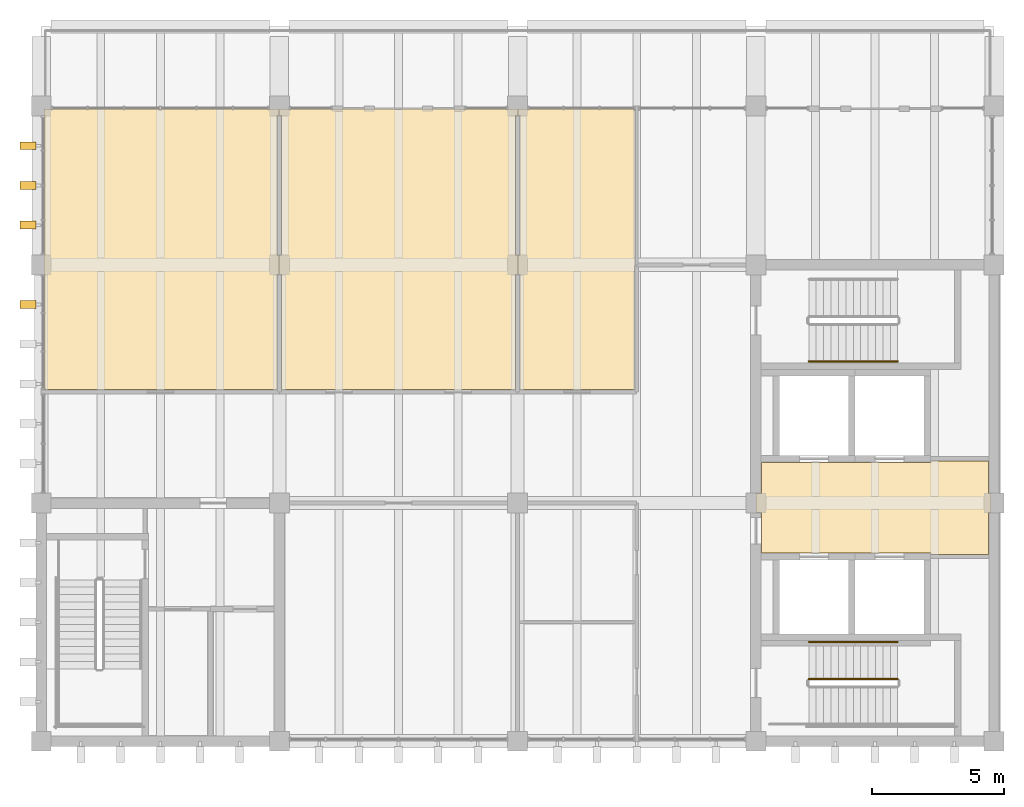
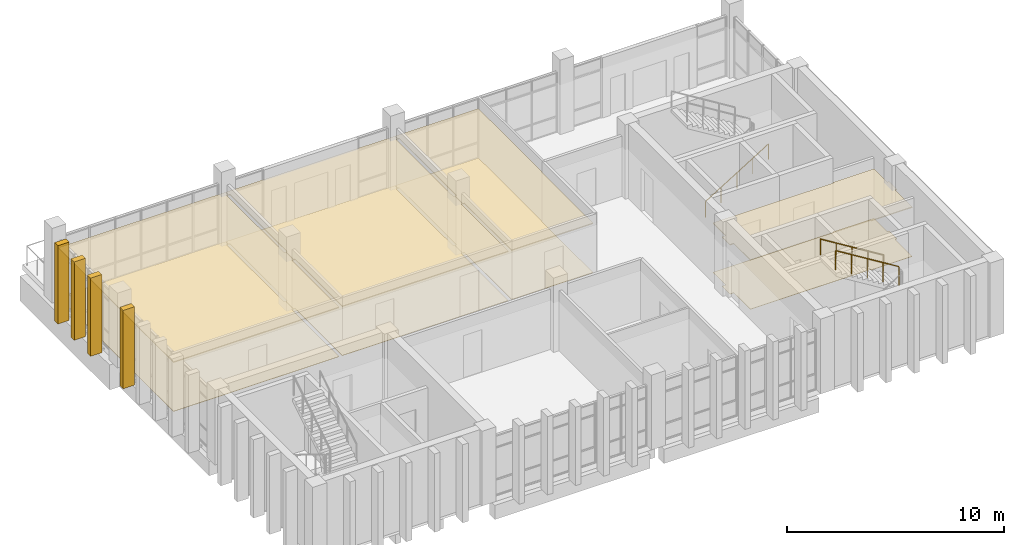
# One storey, part 13 of 15: 8 coverings, 4 shading devices, 3 railings.
"""IFC4 building model written with IfcOpenShell, lengths in metres."""

from ifc_helpers import new_model, si_unit, direction, frame, origin, origin_2d, place, context, subcontext, project, spatial, polyline, circle, outline, extrude, source, transform, mapped, material, layer, layer_set, type_object, element, save


model = new_model("IFC4")

# Units and contexts
model_context = context("Model", 3, precision=1e-05, world=origin(), true_north=direction((0.0, 1.0)))
body_context = subcontext(model_context, "Body", "Model", "MODEL_VIEW")
ifc_project = project(units=[si_unit("LENGTHUNIT", "METRE"), si_unit("AREAUNIT", "SQUARE_METRE"), si_unit("VOLUMEUNIT", "CUBIC_METRE"), si_unit("PLANEANGLEUNIT", "RADIAN"), si_unit("MASSUNIT", "GRAM", prefix="KILO")], contexts=[model_context])

# Site, building, storey
site_placement = place(None, origin())
site = spatial("IfcSite", under=ifc_project, at=site_placement, CompositionType="ELEMENT")
building_placement = place(site_placement, origin())
building = spatial("IfcBuilding", under=site, at=building_placement, Name="Merrow Basin Faculty of Sciences", CompositionType="ELEMENT")
storey_placement = place(building_placement, frame((0.0, 0.0, 31.5)))
storey = spatial("IfcBuildingStorey", under=building, at=storey_placement, Name="L07", CompositionType="ELEMENT", Elevation=31.5)

# Coverings
ifc_material_1 = material(Name="Carpet tile floor")
ifc_layer_1 = layer(ifc_material_1, 0.02001953125)
ifc_layer_set_1 = layer_set([ifc_layer_1], Name="Carpet tile floor")
covering_type_1 = type_object("IfcCoveringType", Name="Carpet tile floor", PredefinedType="FLOORING", material=ifc_layer_set_1)
covering_1_placement = place(storey_placement, origin())
element("IfcCovering", 1, at=covering_1_placement, inside=storey, type_object=covering_type_1, Name="Floor finish L07-T-014", PredefinedType="FLOORING", context=body_context, shape_type="SweptSolid", body=[
    extrude(outline(polyline([(18.110107421875, 165.889892578125), (26.989990234375, 165.889892578125), (26.989990234375, 165.635009765625), (26.9150390625, 165.635009765625), (26.9150390625, 160.364990234375), (26.989990234375, 160.364990234375), (26.989990234375, 159.635009765625), (26.9150390625, 159.635009765625), (26.9150390625, 155.284912109375), (18.110107421875, 155.284912109375), (18.110107421875, 165.889892578125)])), origin(), (0.0, 0.0, 1.0), 0.02001953125),
])
covering_2_placement = place(storey_placement, origin())
element("IfcCovering", 2, at=covering_2_placement, inside=storey, type_object=covering_type_1, Name="Floor finish L07-T-016", PredefinedType="FLOORING", context=body_context, shape_type="SweptSolid", body=[
    extrude(outline(polyline([(36.010009765625, 160.364990234375), (36.0849609375, 160.364990234375), (36.0849609375, 165.635009765625), (36.010009765625, 165.635009765625), (36.010009765625, 165.889892578125), (40.43994140625, 165.889892578125), (40.43994140625, 160.010009765625), (40.4150390625, 160.010009765625), (40.4150390625, 155.284912109375), (36.0849609375, 155.284912109375), (36.0849609375, 159.635009765625), (36.010009765625, 159.635009765625), (36.010009765625, 160.364990234375)])), origin(), (0.0, 0.0, 1.0), 0.02001953125),
])
ifc_material_2 = material(Name="Laboratory sheet vinyl floor")
ifc_layer_2 = layer(ifc_material_2, 0.02001953125)
ifc_layer_set_2 = layer_set([ifc_layer_2], Name="Laboratory sheet vinyl floor")
covering_type_2 = type_object("IfcCoveringType", Name="Laboratory sheet vinyl floor", PredefinedType="FLOORING", material=ifc_layer_set_2)
covering_3_placement = place(storey_placement, origin())
element("IfcCovering", 3, at=covering_3_placement, inside=storey, type_object=covering_type_2, Name="Floor finish L07-T-015", PredefinedType="FLOORING", context=body_context, shape_type="SweptSolid", body=[
    extrude(outline(polyline([(27.010009765625, 160.364990234375), (27.0849609375, 160.364990234375), (27.0849609375, 165.635009765625), (27.010009765625, 165.635009765625), (27.010009765625, 165.889892578125), (35.989990234375, 165.889892578125), (35.989990234375, 165.635009765625), (35.9150390625, 165.635009765625), (35.9150390625, 160.364990234375), (35.989990234375, 160.364990234375), (35.989990234375, 159.635009765625), (35.9150390625, 159.635009765625), (35.9150390625, 155.284912109375), (27.0849609375, 155.284912109375), (27.0849609375, 159.635009765625), (27.010009765625, 159.635009765625), (27.010009765625, 160.364990234375)])), origin(), (0.0, 0.0, 1.0), 0.02001953125),
])
ifc_material_3 = material(Name="Polished terrazzo floor")
ifc_layer_3 = layer(ifc_material_3, 0.02001953125)
ifc_layer_set_3 = layer_set([ifc_layer_3], Name="Polished terrazzo floor")
covering_type_3 = type_object("IfcCoveringType", Name="Polished terrazzo floor", PredefinedType="FLOORING", material=ifc_layer_set_3)
covering_4_placement = place(storey_placement, origin())
element("IfcCovering", 4, at=covering_4_placement, inside=storey, type_object=covering_type_3, Name="Floor finish L07-T-007", PredefinedType="FLOORING", context=body_context, shape_type="SweptSolid", body=[
    extrude(outline(polyline([(45.010009765625, 151.364990234375), (45.2099609375, 151.364990234375), (45.2099609375, 152.5400390625), (51.610107421875, 152.5400390625), (51.610107421875, 152.590087890625), (53.7900390625, 152.590087890625), (53.7900390625, 151.364990234375), (53.889892578125, 151.364990234375), (53.889892578125, 150.635009765625), (53.7900390625, 150.635009765625), (53.7900390625, 149.06005859375), (51.610107421875, 149.06005859375), (51.610107421875, 149.110107421875), (45.2099609375, 149.110107421875), (45.2099609375, 150.635009765625), (45.010009765625, 150.635009765625), (45.010009765625, 151.364990234375)])), origin(), (0.0, 0.0, 1.0), 0.02001953125),
])

# Railings
ifc_material_4 = material(Name="Steel ASTM A36", Category="steel")
railing_type_1 = type_object("IfcRailingType", Name="Steel guard 1100", PredefinedType="GUARDRAIL", material=ifc_material_4)
railing_1_placement = place(storey_placement, frame((50.360107421875, 144.35009765625, 2.423095703125)))
element("IfcRailing", 5, at=railing_1_placement, inside=storey, type_object=railing_type_1, Name="L07 ST-V5-N stair guard 4", PredefinedType="GUARDRAIL", context=body_context, shape_type="SweptSolid", body=[
    extrude(circle(Radius=0.02392578125, at=origin_2d()), frame((0.0, 0.0, 1.076171875), z_axis=(-0.850623216509, 0.0, 0.525775754039), x_axis=(0.0, -1.0, 0.0)), (0.0, 0.0, 1.0), 3.9501953125),
    extrude(circle(Radius=0.02099609375, at=origin_2d()), origin(), (0.0, 0.0, 1.0), 1.052001953125),
    extrude(circle(Radius=0.02099609375, at=origin_2d()), frame((-0.840087890625, 0.0, 0.519287109375)), (0.0, 0.0, 1.0), 1.052001953125),
    extrude(circle(Radius=0.02099609375, at=origin_2d()), frame((-1.68017578125, 0.0, 1.03857421875)), (0.0, 0.0, 1.0), 1.052001953125),
    extrude(circle(Radius=0.02099609375, at=origin_2d()), frame((-2.52001953125, 0.0, 1.5576171875)), (0.0, 0.0, 1.0), 1.052001953125),
    extrude(circle(Radius=0.02099609375, at=origin_2d()), frame((-3.360107421875, 0.0, 2.076904296875)), (0.0, 0.0, 1.0), 1.052001953125),
])
ifc_material_5 = material(Name="Steel ASTM A36", Category="steel")
railing_type_2 = type_object("IfcRailingType", Name="Steel handrail 900", PredefinedType="HANDRAIL", material=ifc_material_5)
railing_2_placement = place(storey_placement, frame((47.0, 156.35009765625, 0.173095703125)))
element("IfcRailing", 6, at=railing_2_placement, inside=storey, type_object=railing_type_2, Name="L07 ST-V5-S stair handrail 1", PredefinedType="HANDRAIL", context=body_context, shape_type="SweptSolid", body=[
    extrude(circle(Radius=0.02392578125, at=origin_2d()), frame((0.0, 0.0, 0.8759765625), z_axis=(0.850623216509, 0.0, 0.525775754039), x_axis=(0.0, 1.0, 0.0)), (0.0, 0.0, 1.0), 3.9501953125),
    extrude(circle(Radius=0.02099609375, at=origin_2d()), origin(), (0.0, 0.0, 1.0), 0.851806640625),
    extrude(circle(Radius=0.02099609375, at=origin_2d()), frame((0.840087890625, 0.0, 0.519287109375)), (0.0, 0.0, 1.0), 0.851806640625),
    extrude(circle(Radius=0.02099609375, at=origin_2d()), frame((1.68017578125, 0.0, 1.03857421875)), (0.0, 0.0, 1.0), 0.851806640625),
    extrude(circle(Radius=0.02099609375, at=origin_2d()), frame((2.52001953125, 0.0, 1.5576171875)), (0.0, 0.0, 1.0), 0.851806640625),
    extrude(circle(Radius=0.02099609375, at=origin_2d()), frame((3.360107421875, 0.0, 2.076904296875)), (0.0, 0.0, 1.0), 0.851806640625),
])
railing_3_placement = place(storey_placement, frame((50.360107421875, 145.75, 2.423095703125)))
element("IfcRailing", 7, at=railing_3_placement, inside=storey, type_object=railing_type_2, Name="L07 ST-V5-N stair handrail 2", PredefinedType="HANDRAIL", context=body_context, shape_type="SweptSolid", body=[
    extrude(circle(Radius=0.02392578125, at=origin_2d()), frame((0.0, 0.0, 0.8759765625), z_axis=(-0.850623216509, 0.0, 0.525775754039), x_axis=(0.0, -1.0, 0.0)), (0.0, 0.0, 1.0), 3.9501953125),
    extrude(circle(Radius=0.02099609375, at=origin_2d()), origin(), (0.0, 0.0, 1.0), 0.851806640625),
    extrude(circle(Radius=0.02099609375, at=origin_2d()), frame((-0.840087890625, 0.0, 0.519287109375)), (0.0, 0.0, 1.0), 0.851806640625),
    extrude(circle(Radius=0.02099609375, at=origin_2d()), frame((-1.68017578125, 0.0, 1.03857421875)), (0.0, 0.0, 1.0), 0.851806640625),
    extrude(circle(Radius=0.02099609375, at=origin_2d()), frame((-2.52001953125, 0.0, 1.5576171875)), (0.0, 0.0, 1.0), 0.851806640625),
    extrude(circle(Radius=0.02099609375, at=origin_2d()), frame((-3.360107421875, 0.0, 2.076904296875)), (0.0, 0.0, 1.0), 0.851806640625),
])

# Coverings
ifc_material_6 = material(Name="Mineral fibre ceiling tile")
ifc_layer_4 = layer(ifc_material_6, 0.050048828125)
ifc_layer_set_4 = layer_set([ifc_layer_4], Name="Suspended acoustic ceiling tile")
covering_type_4 = type_object("IfcCoveringType", Name="Suspended acoustic ceiling tile", PredefinedType="CEILING", material=ifc_layer_set_4)
covering_5_placement = place(storey_placement, frame((0.0, 0.0, 2.75)))
element("IfcCovering", 8, at=covering_5_placement, inside=storey, type_object=covering_type_4, Name="Ceiling L07-T-007", PredefinedType="CEILING", context=body_context, shape_type="SweptSolid", body=[
    extrude(outline(polyline([(45.010009765625, 151.364990234375), (45.2099609375, 151.364990234375), (45.2099609375, 152.5400390625), (51.610107421875, 152.5400390625), (51.610107421875, 152.590087890625), (53.7900390625, 152.590087890625), (53.7900390625, 151.364990234375), (53.889892578125, 151.364990234375), (53.889892578125, 150.635009765625), (53.7900390625, 150.635009765625), (53.7900390625, 149.06005859375), (51.610107421875, 149.06005859375), (51.610107421875, 149.110107421875), (45.2099609375, 149.110107421875), (45.2099609375, 150.635009765625), (45.010009765625, 150.635009765625), (45.010009765625, 151.364990234375)])), origin(), (0.0, 0.0, 1.0), 0.050048828125),
])
covering_6_placement = place(storey_placement, frame((0.0, 0.0, 2.75)))
element("IfcCovering", 9, at=covering_6_placement, inside=storey, type_object=covering_type_4, Name="Ceiling L07-T-014", PredefinedType="CEILING", context=body_context, shape_type="SweptSolid", body=[
    extrude(outline(polyline([(18.110107421875, 165.889892578125), (26.989990234375, 165.889892578125), (26.989990234375, 165.635009765625), (26.9150390625, 165.635009765625), (26.9150390625, 160.364990234375), (26.989990234375, 160.364990234375), (26.989990234375, 159.635009765625), (26.9150390625, 159.635009765625), (26.9150390625, 155.284912109375), (18.110107421875, 155.284912109375), (18.110107421875, 165.889892578125)])), origin(), (0.0, 0.0, 1.0), 0.050048828125),
])
covering_7_placement = place(storey_placement, frame((0.0, 0.0, 2.75)))
element("IfcCovering", 10, at=covering_7_placement, inside=storey, type_object=covering_type_4, Name="Ceiling L07-T-015", PredefinedType="CEILING", context=body_context, shape_type="SweptSolid", body=[
    extrude(outline(polyline([(27.010009765625, 160.364990234375), (27.0849609375, 160.364990234375), (27.0849609375, 165.635009765625), (27.010009765625, 165.635009765625), (27.010009765625, 165.889892578125), (35.989990234375, 165.889892578125), (35.989990234375, 165.635009765625), (35.9150390625, 165.635009765625), (35.9150390625, 160.364990234375), (35.989990234375, 160.364990234375), (35.989990234375, 159.635009765625), (35.9150390625, 159.635009765625), (35.9150390625, 155.284912109375), (27.0849609375, 155.284912109375), (27.0849609375, 159.635009765625), (27.010009765625, 159.635009765625), (27.010009765625, 160.364990234375)])), origin(), (0.0, 0.0, 1.0), 0.050048828125),
])
covering_8_placement = place(storey_placement, frame((0.0, 0.0, 2.75)))
element("IfcCovering", 11, at=covering_8_placement, inside=storey, type_object=covering_type_4, Name="Ceiling L07-T-016", PredefinedType="CEILING", context=body_context, shape_type="SweptSolid", body=[
    extrude(outline(polyline([(36.010009765625, 160.364990234375), (36.0849609375, 160.364990234375), (36.0849609375, 165.635009765625), (36.010009765625, 165.635009765625), (36.010009765625, 165.889892578125), (40.43994140625, 165.889892578125), (40.43994140625, 160.010009765625), (40.4150390625, 160.010009765625), (40.4150390625, 155.284912109375), (36.0849609375, 155.284912109375), (36.0849609375, 159.635009765625), (36.010009765625, 159.635009765625), (36.010009765625, 160.364990234375)])), origin(), (0.0, 0.0, 1.0), 0.050048828125),
])

# Shading devices
ifc_material_7 = material(Name="White precast concrete C50/60", Category="concrete")
shading_device_type = type_object("IfcShadingDeviceType", Name="White precast fin 300 x 600", PredefinedType="USERDEFINED", material=ifc_material_7)
shared_shape = source(origin(), body_context, "Body", "SweptSolid", [
    extrude(outline(polyline([(0.0, 0.0), (0.300048828125, 0.0), (0.300048828125, 4.39990234375), (0.0, 4.39990234375), (0.0, 0.0)])), origin(), (0.0, 0.0, 1.0), 0.60009765625),
])
for number, where, z_axis, x_axis, name in (
    (12, (17.800048828125, 158.64990234375, -0.25), (-1.0, 0.0, 0.0), (0.0, -1.0, 0.0), "Brise-soleil fin WL07"),
    (13, (17.800048828125, 161.64990234375, -0.25), (-1.0, 0.0, 0.0), (0.0, -1.0, 0.0), "Brise-soleil fin WL07"),
    (14, (17.800048828125, 163.14990234375, -0.25), (-1.0, 0.0, 0.0), (0.0, -1.0, 0.0), "Brise-soleil fin WL07"),
    (15, (17.800048828125, 164.64990234375, -0.25), (-1.0, 0.0, 0.0), (0.0, -1.0, 0.0), "Brise-soleil fin WL07"),
):
    element("IfcShadingDevice", number, at=place(storey_placement, frame(where, z_axis=z_axis, x_axis=x_axis)), inside=storey, type_object=shading_device_type, Name=name, ObjectType="FIN", PredefinedType="USERDEFINED", context=body_context, shape_type="MappedRepresentation", body=[
        mapped(shared_shape, transform((0.0, 0.0, 0.0), scale=1.0)),
    ])

save(model, "model.ifc")
